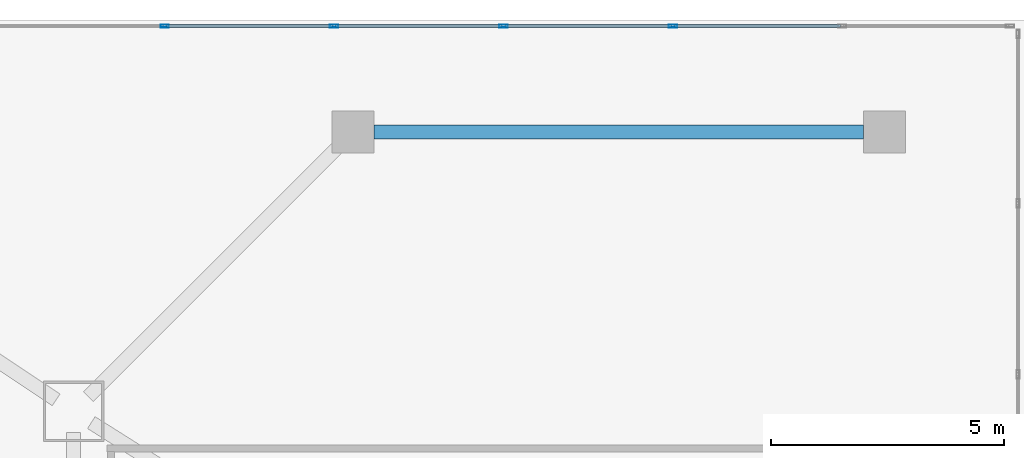
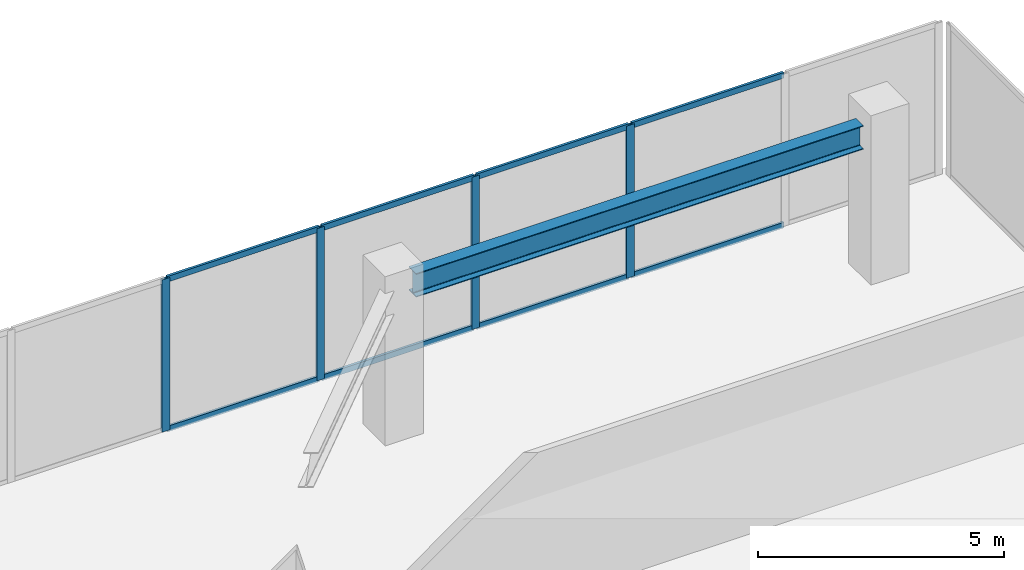
# One storey, part 18 of 32: 12 members, 1 beam, 1 element without a shape of its own.
"""IFC4 building model written with IfcOpenShell, lengths in metres."""

from ifc_helpers import new_model, si_unit, direction, frame, origin, origin_2d, place, context, subcontext, project, spatial, hollow_rectangle, i_section, extrude, material, layer, layer_set, material_profile, profile_set, type_object, element, aggregate, save


model = new_model("IFC4")

# Units and contexts
model_context = context("Model", 3, precision=1e-05, world=origin(), true_north=direction((0.0, 1.0)))
body_context = subcontext(model_context, "Body", "Model", "MODEL_VIEW")
ifc_project = project(units=[si_unit("LENGTHUNIT", "METRE"), si_unit("AREAUNIT", "SQUARE_METRE"), si_unit("VOLUMEUNIT", "CUBIC_METRE"), si_unit("PLANEANGLEUNIT", "RADIAN"), si_unit("MASSUNIT", "GRAM", prefix="KILO")], contexts=[model_context])

# Site, building, storey
site_placement = place(None, origin())
site = spatial("IfcSite", under=ifc_project, at=site_placement, CompositionType="ELEMENT")
building_placement = place(site_placement, origin())
building = spatial("IfcBuilding", under=site, at=building_placement, Name="Haolan Belvedere Tower", CompositionType="ELEMENT")
storey_placement = place(building_placement, frame((0.0, 0.0, 15.60009765625)))
storey = spatial("IfcBuildingStorey", under=building, at=storey_placement, Name="L03", CompositionType="ELEMENT", Elevation=15.60009765625)

# Beam
ifc_material_1 = material(Name="Steel Q355B", Category="steel")
ifc_material_profile_1 = material_profile(ifc_material_1, i_section(OverallWidth=0.300048828125, OverallDepth=0.587890625, WebThickness=0.011962890625, FlangeThickness=0.02001953125, FilletRadius=0.028076171875, at=origin_2d()), Name="Steel Q355B")
ifc_profile_set_1 = profile_set([ifc_material_profile_1], Name="Steel Q355B")
beam_type = type_object("IfcBeamType", Name="BM-HM588x300x12x20", PredefinedType="SPANDREL", material=ifc_profile_set_1)
beam_placement = place(storey_placement, frame((59.25, 51.60009765625, 3.48583984375), z_axis=(1.0, 0.0, 0.0), x_axis=(0.0, 1.0, 0.0)))
element("IfcBeam", 1, at=beam_placement, inside=storey, type_object=beam_type, Name="L03 spandrel girder PC-NE-1-PC-NE-2", PredefinedType="SPANDREL", context=body_context, shape_type="SweptSolid", body=[
    extrude(i_section(OverallWidth=0.300048828125, OverallDepth=0.587890625, WebThickness=0.011962890625, FlangeThickness=0.02001953125, FilletRadius=0.028076171875, at=origin_2d()), origin(), (0.0, 0.0, 1.0), 10.5),
])

# Curtain wall, members
ifc_material_2 = material(Name="Anodised champagne-silver aluminium 6063-T6 and Low-E glass", Category="aluminium")
ifc_layer = layer(ifc_material_2, 0.179931640625, Name="Anodised champagne-silver aluminium 6063-T6 and Low-E glass")
ifc_layer_set = layer_set([ifc_layer], Name="Anodised champagne-silver aluminium 6063-T6 and Low-E glass")
curtain_wall_type = type_object("IfcCurtainWallType", Name="CW-SYS-01", PredefinedType="NOTDEFINED", material=ifc_layer_set)
curtain_wall_placement = place(storey_placement, origin())
curtain_wall = element("IfcCurtainWall", 2, at=curtain_wall_placement, inside=storey, type_object=curtain_wall_type, Name="L03 CW-SYS-01 ribbon curtain wall 3.1", PredefinedType="NOTDEFINED")
ifc_material_3 = material(Name="Anodised aluminium 6063-T6", Category="aluminium")
ifc_material_profile_2 = material_profile(ifc_material_3, hollow_rectangle(XDim=0.06494140625, YDim=0.179931640625, WallThickness=0.00390625, at=origin_2d()), Name="Anodised aluminium 6063-T6")
ifc_profile_set_2 = profile_set([ifc_material_profile_2], Name="Anodised aluminium 6063-T6")
member_type_1 = type_object("IfcMemberType", Name="CW-SYS-01-MUL", PredefinedType="MULLION", material=ifc_profile_set_2)
member_1_placement = place(storey_placement, frame((65.66064453125, 53.8701171875, 0.0), z_axis=(0.0, 0.0, 1.0), x_axis=(0.0, -1.0, 0.0)))
member_1 = element("IfcMember", 3, at=member_1_placement, type_object=member_type_1, Name="CW-01 mullion 3", PredefinedType="MULLION", context=body_context, shape_type="SweptSolid", body=[
    extrude(hollow_rectangle(XDim=0.06494140625, YDim=0.179931640625, WallThickness=0.00390625, at=origin_2d()), origin(), (0.0, 0.0, 1.0), 3.77978515625),
])
member_2_placement = place(storey_placement, frame((62.02587890625, 53.8701171875, 0.0), z_axis=(0.0, 0.0, 1.0), x_axis=(0.0, -1.0, 0.0)))
member_2 = element("IfcMember", 4, at=member_2_placement, type_object=member_type_1, Name="CW-01 mullion 4", PredefinedType="MULLION", context=body_context, shape_type="SweptSolid", body=[
    extrude(hollow_rectangle(XDim=0.06494140625, YDim=0.179931640625, WallThickness=0.00390625, at=origin_2d()), origin(), (0.0, 0.0, 1.0), 3.77978515625),
])
member_3_placement = place(storey_placement, frame((58.39111328125, 53.8701171875, 0.0), z_axis=(0.0, 0.0, 1.0), x_axis=(0.0, -1.0, 0.0)))
member_3 = element("IfcMember", 5, at=member_3_placement, type_object=member_type_1, Name="CW-01 mullion 5", PredefinedType="MULLION", context=body_context, shape_type="SweptSolid", body=[
    extrude(hollow_rectangle(XDim=0.06494140625, YDim=0.179931640625, WallThickness=0.00390625, at=origin_2d()), origin(), (0.0, 0.0, 1.0), 3.77978515625),
])
member_4_placement = place(storey_placement, frame((54.75634765625, 53.8701171875, 0.0), z_axis=(0.0, 0.0, 1.0), x_axis=(0.0, -1.0, 0.0)))
member_4 = element("IfcMember", 6, at=member_4_placement, type_object=member_type_1, Name="CW-01 mullion 6", PredefinedType="MULLION", context=body_context, shape_type="SweptSolid", body=[
    extrude(hollow_rectangle(XDim=0.06494140625, YDim=0.179931640625, WallThickness=0.00390625, at=origin_2d()), origin(), (0.0, 0.0, 1.0), 3.77978515625),
])
ifc_material_profile_3 = material_profile(ifc_material_3, hollow_rectangle(XDim=0.06005859375, YDim=0.139892578125, WallThickness=0.00390625, at=origin_2d()), Name="Anodised aluminium 6063-T6")
ifc_profile_set_3 = profile_set([ifc_material_profile_3], Name="Anodised aluminium 6063-T6")
member_type_2 = type_object("IfcMemberType", Name="CW-SYS-01-TRN", PredefinedType="USERDEFINED", material=ifc_profile_set_3)
member_5_placement = place(storey_placement, frame((69.2626953125, 53.8701171875, 0.02978515625), z_axis=(-1.0, 0.0, 0.0), x_axis=(0.0, -1.0, 0.0)))
member_5 = element("IfcMember", 7, at=member_5_placement, type_object=member_type_2, Name="CW-01 transom 2.1", ObjectType="TRANSOM", PredefinedType="USERDEFINED", context=body_context, shape_type="SweptSolid", body=[
    extrude(hollow_rectangle(XDim=0.06005859375, YDim=0.139892578125, WallThickness=0.00390625, at=origin_2d()), origin(), (0.0, 0.0, 1.0), 3.569580078125),
])
member_6_placement = place(storey_placement, frame((69.2626953125, 53.8701171875, 3.75), z_axis=(-1.0, 0.0, 0.0), x_axis=(0.0, -1.0, 0.0)))
member_6 = element("IfcMember", 8, at=member_6_placement, type_object=member_type_2, Name="CW-01 transom 2.2", ObjectType="TRANSOM", PredefinedType="USERDEFINED", context=body_context, shape_type="SweptSolid", body=[
    extrude(hollow_rectangle(XDim=0.06005859375, YDim=0.139892578125, WallThickness=0.00390625, at=origin_2d()), origin(), (0.0, 0.0, 1.0), 3.569580078125),
])
member_7_placement = place(storey_placement, frame((65.6279296875, 53.8701171875, 0.02978515625), z_axis=(-1.0, 0.0, 0.0), x_axis=(0.0, -1.0, 0.0)))
member_7 = element("IfcMember", 9, at=member_7_placement, type_object=member_type_2, Name="CW-01 transom 3.1", ObjectType="TRANSOM", PredefinedType="USERDEFINED", context=body_context, shape_type="SweptSolid", body=[
    extrude(hollow_rectangle(XDim=0.06005859375, YDim=0.139892578125, WallThickness=0.00390625, at=origin_2d()), origin(), (0.0, 0.0, 1.0), 3.569580078125),
])
member_8_placement = place(storey_placement, frame((65.6279296875, 53.8701171875, 3.75), z_axis=(-1.0, 0.0, 0.0), x_axis=(0.0, -1.0, 0.0)))
member_8 = element("IfcMember", 10, at=member_8_placement, type_object=member_type_2, Name="CW-01 transom 3.2", ObjectType="TRANSOM", PredefinedType="USERDEFINED", context=body_context, shape_type="SweptSolid", body=[
    extrude(hollow_rectangle(XDim=0.06005859375, YDim=0.139892578125, WallThickness=0.00390625, at=origin_2d()), origin(), (0.0, 0.0, 1.0), 3.569580078125),
])
member_9_placement = place(storey_placement, frame((61.993408203125, 53.8701171875, 0.02978515625), z_axis=(-1.0, 0.0, 0.0), x_axis=(0.0, -1.0, 0.0)))
member_9 = element("IfcMember", 11, at=member_9_placement, type_object=member_type_2, Name="CW-01 transom 4.1", ObjectType="TRANSOM", PredefinedType="USERDEFINED", context=body_context, shape_type="SweptSolid", body=[
    extrude(hollow_rectangle(XDim=0.06005859375, YDim=0.139892578125, WallThickness=0.00390625, at=origin_2d()), origin(), (0.0, 0.0, 1.0), 3.56982421875),
])
member_10_placement = place(storey_placement, frame((61.993408203125, 53.8701171875, 3.75), z_axis=(-1.0, 0.0, 0.0), x_axis=(0.0, -1.0, 0.0)))
member_10 = element("IfcMember", 12, at=member_10_placement, type_object=member_type_2, Name="CW-01 transom 4.2", ObjectType="TRANSOM", PredefinedType="USERDEFINED", context=body_context, shape_type="SweptSolid", body=[
    extrude(hollow_rectangle(XDim=0.06005859375, YDim=0.139892578125, WallThickness=0.00390625, at=origin_2d()), origin(), (0.0, 0.0, 1.0), 3.56982421875),
])
member_11_placement = place(storey_placement, frame((58.358642578125, 53.8701171875, 0.02978515625), z_axis=(-1.0, 0.0, 0.0), x_axis=(0.0, -1.0, 0.0)))
member_11 = element("IfcMember", 13, at=member_11_placement, type_object=member_type_2, Name="CW-01 transom 5.1", ObjectType="TRANSOM", PredefinedType="USERDEFINED", context=body_context, shape_type="SweptSolid", body=[
    extrude(hollow_rectangle(XDim=0.06005859375, YDim=0.139892578125, WallThickness=0.00390625, at=origin_2d()), origin(), (0.0, 0.0, 1.0), 3.56982421875),
])
member_12_placement = place(storey_placement, frame((58.358642578125, 53.8701171875, 3.75), z_axis=(-1.0, 0.0, 0.0), x_axis=(0.0, -1.0, 0.0)))
member_12 = element("IfcMember", 14, at=member_12_placement, type_object=member_type_2, Name="CW-01 transom 5.2", ObjectType="TRANSOM", PredefinedType="USERDEFINED", context=body_context, shape_type="SweptSolid", body=[
    extrude(hollow_rectangle(XDim=0.06005859375, YDim=0.139892578125, WallThickness=0.00390625, at=origin_2d()), origin(), (0.0, 0.0, 1.0), 3.56982421875),
])
aggregate(curtain_wall, [member_1, member_2, member_3, member_4, member_5, member_6, member_7, member_8, member_9, member_10, member_11, member_12])

save(model, "model.ifc")
